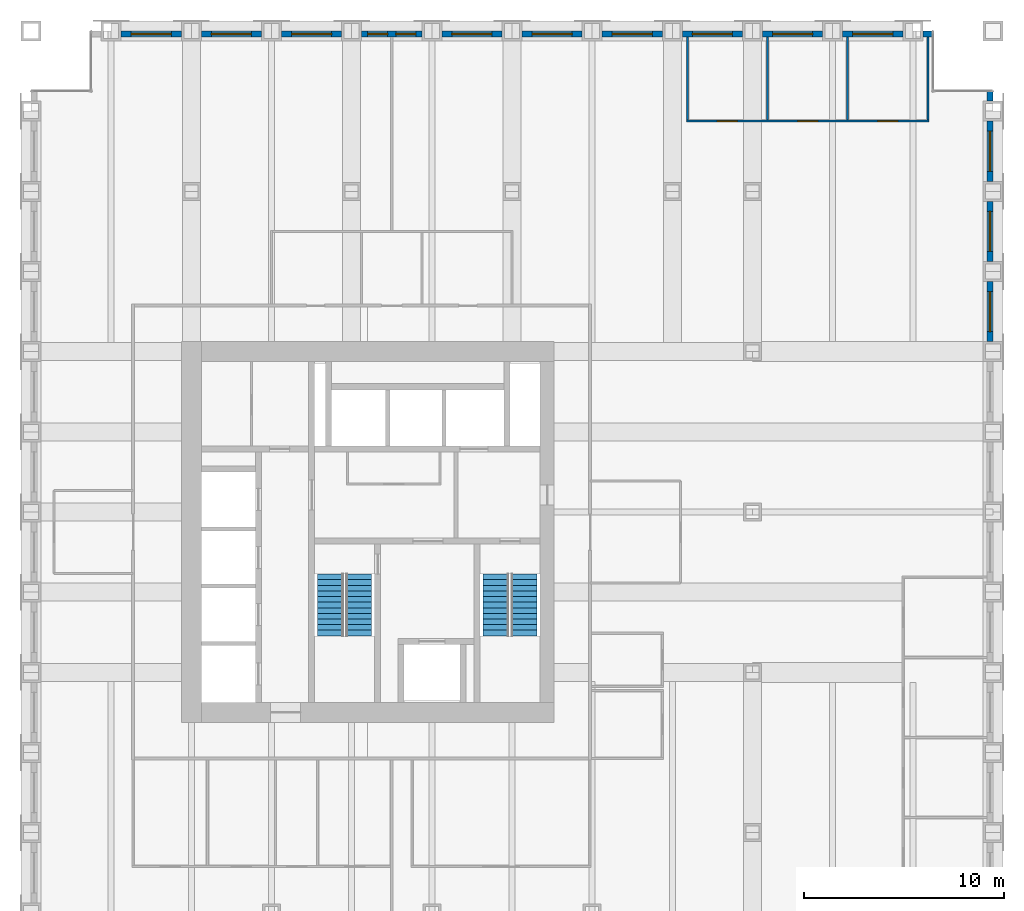
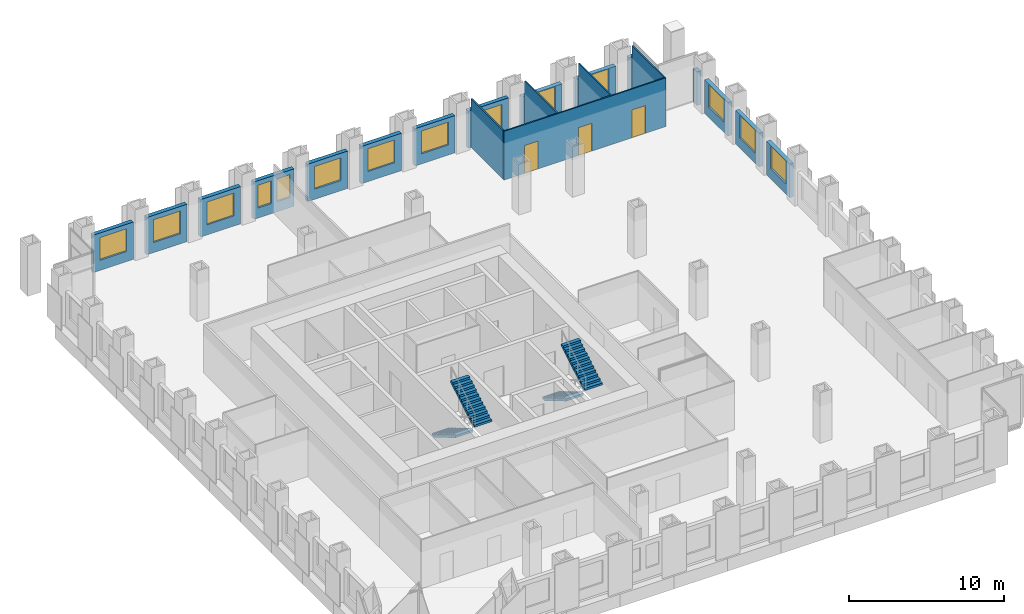
# One storey, part 14 of 16: 20 walls, 14 windows, 4 stair flights, 3 doors, 17 openings, 2 elements without a shape of their own.
"""IFC4 building model written with IfcOpenShell, lengths in metres."""

from ifc_helpers import new_model, si_unit, direction, frame, frame_2d, origin, place, context, subcontext, project, spatial, polyline, rectangle, outline, extrude, material, layer, layer_set, type_object, element, fill, aggregate, save


model = new_model("IFC4")

# Units and contexts
model_context = context("Model", 3, precision=1e-05, world=origin(), true_north=direction((0.0, 1.0)))
body_context = subcontext(model_context, "Body", "Model", "MODEL_VIEW")
ifc_project = project(units=[si_unit("LENGTHUNIT", "METRE"), si_unit("AREAUNIT", "SQUARE_METRE"), si_unit("VOLUMEUNIT", "CUBIC_METRE"), si_unit("PLANEANGLEUNIT", "RADIAN"), si_unit("MASSUNIT", "GRAM", prefix="KILO")], contexts=[model_context])

# Site, building, storey
site_placement = place(None, origin())
site = spatial("IfcSite", under=ifc_project, at=site_placement, CompositionType="ELEMENT")
building_placement = place(site_placement, origin())
building = spatial("IfcBuilding", under=site, at=building_placement, Name="Rimbunsela Tower", CompositionType="ELEMENT")
storey_placement = place(building_placement, frame((0.0, 0.0, 133.39990234375)))
storey = spatial("IfcBuildingStorey", under=building, at=storey_placement, Name="L32", CompositionType="ELEMENT", Elevation=133.39990234375)

# Wall, openings, doors
ifc_material_1 = material(Name="Gypsum board on steel studs", Category="steel")
ifc_layer_1 = layer(ifc_material_1, 0.10009765625)
ifc_layer_set_1 = layer_set([ifc_layer_1], Name="Office partition 100")
wall_type_1 = type_object("IfcWallType", Name="Office partition 100", PredefinedType="PARTITIONING", material=ifc_layer_set_1)
wall_1_placement = place(storey_placement, frame((42.699951171875, 47.5, 0.0), z_axis=(0.0, 0.0, 1.0), x_axis=(1.0, 0.0, 0.0)))
wall_1 = element("IfcWall", 1, at=wall_1_placement, inside=storey, type_object=wall_type_1, Name="Office partition", PredefinedType="PARTITIONING", context=body_context, shape_type="SweptSolid", body=[
    extrude(rectangle(XDim=12.10009765625, YDim=0.10009765625, at=frame_2d((6.050048828125, 0.0))), origin(), (0.0, 0.0, 1.0), 3.85009765625),
])
opening_1_placement = place(wall_1_placement, frame((1.550048828125, 0.0, 0.0)))
opening_1 = element("IfcOpeningElement", 2, at=opening_1_placement, cuts=wall_1, Name="Opening D16", PredefinedType="OPENING", context=body_context, shape_type="SweptSolid", body=[
    extrude(rectangle(XDim=1.0, YDim=2.199951171875, at=frame_2d((0.5, 1.10009765625))), frame((0.0, 0.06005859375, 0.0), z_axis=(0.0, -1.0, 0.0), x_axis=(1.0, 0.0, 0.0)), (0.0, 0.0, 1.0), 0.1201171875),
])
opening_2_placement = place(wall_1_placement, frame((5.550048828125, 0.0, 0.0)))
opening_2 = element("IfcOpeningElement", 3, at=opening_2_placement, cuts=wall_1, Name="Opening D16", PredefinedType="OPENING", context=body_context, shape_type="SweptSolid", body=[
    extrude(rectangle(XDim=1.0, YDim=2.199951171875, at=frame_2d((0.5, 1.10009765625))), frame((0.0, 0.06005859375, 0.0), z_axis=(0.0, -1.0, 0.0), x_axis=(1.0, 0.0, 0.0)), (0.0, 0.0, 1.0), 0.1201171875),
])
opening_3_placement = place(wall_1_placement, frame((9.550048828125, 0.0, 0.0)))
opening_3 = element("IfcOpeningElement", 4, at=opening_3_placement, cuts=wall_1, Name="Opening D16", PredefinedType="OPENING", context=body_context, shape_type="SweptSolid", body=[
    extrude(rectangle(XDim=1.0, YDim=2.199951171875, at=frame_2d((0.5, 1.10009765625))), frame((0.0, 0.06005859375, 0.0), z_axis=(0.0, -1.0, 0.0), x_axis=(1.0, 0.0, 0.0)), (0.0, 0.0, 1.0), 0.1201171875),
])
ifc_material_2 = material(Name="Timber door", Category="wood")
door_type = type_object("IfcDoorType", Name="Office door 1000", OperationType="SINGLE_SWING_LEFT", PredefinedType="DOOR", material=ifc_material_2)
door_1_placement = place(opening_1_placement, origin())
door_1 = element("IfcDoor", 5, at=door_1_placement, inside=storey, type_object=door_type, Name="Office door", OperationType="SINGLE_SWING_LEFT", OverallHeight=2.199951171875, OverallWidth=1.0, PredefinedType="DOOR", context=body_context, shape_type="SweptSolid", body=[
    extrude(rectangle(XDim=1.0, YDim=2.199951171875, at=frame_2d((0.5, 1.10009765625))), frame((0.0, 0.02490234375, 0.0), z_axis=(0.0, -1.0, 0.0), x_axis=(1.0, 0.0, 0.0)), (0.0, 0.0, 1.0), 0.050048828125),
])
fill(opening_1, door_1)
door_2_placement = place(opening_2_placement, origin())
door_2 = element("IfcDoor", 6, at=door_2_placement, inside=storey, type_object=door_type, Name="Office door", OperationType="SINGLE_SWING_LEFT", OverallHeight=2.199951171875, OverallWidth=1.0, PredefinedType="DOOR", context=body_context, shape_type="SweptSolid", body=[
    extrude(rectangle(XDim=1.0, YDim=2.199951171875, at=frame_2d((0.5, 1.10009765625))), frame((0.0, 0.02490234375, 0.0), z_axis=(0.0, -1.0, 0.0), x_axis=(1.0, 0.0, 0.0)), (0.0, 0.0, 1.0), 0.050048828125),
])
fill(opening_2, door_2)
door_3_placement = place(opening_3_placement, origin())
door_3 = element("IfcDoor", 7, at=door_3_placement, inside=storey, type_object=door_type, Name="Office door", OperationType="SINGLE_SWING_LEFT", OverallHeight=2.199951171875, OverallWidth=1.0, PredefinedType="DOOR", context=body_context, shape_type="SweptSolid", body=[
    extrude(rectangle(XDim=1.0, YDim=2.199951171875, at=frame_2d((0.5, 1.10009765625))), frame((0.0, 0.02490234375, 0.0), z_axis=(0.0, -1.0, 0.0), x_axis=(1.0, 0.0, 0.0)), (0.0, 0.0, 1.0), 0.050048828125),
])
fill(opening_3, door_3)

# Walls
for number, where, z_axis, x_axis, name in (
    (8, (42.75, 47.550048828125, 0.0), (0.0, 0.0, 1.0), (0.0, 1.0, 0.0), "Office partition"),
    (9, (46.75, 47.550048828125, 0.0), (0.0, 0.0, 1.0), (0.0, 1.0, 0.0), "Office partition"),
    (10, (50.75, 47.550048828125, 0.0), (0.0, 0.0, 1.0), (0.0, 1.0, 0.0), "Office partition"),
    (11, (54.75, 47.550048828125, 0.0), (0.0, 0.0, 1.0), (0.0, 1.0, 0.0), "Office partition"),
):
    element("IfcWall", number, at=place(storey_placement, frame(where, z_axis=z_axis, x_axis=x_axis)), inside=storey, type_object=wall_type_1, Name=name, PredefinedType="PARTITIONING", context=body_context, shape_type="SweptSolid", body=[
        extrude(rectangle(XDim=4.14990234375, YDim=0.10009765625, at=frame_2d((2.074951171875, 0.0))), origin(), (0.0, 0.0, 1.0), 3.85009765625),
    ])

# Wall, opening, window
ifc_material_3 = material(Name="Precast concrete fc' 35 MPa", Category="concrete")
ifc_layer_2 = layer(ifc_material_3, 0.300048828125)
ifc_layer_set_2 = layer_set([ifc_layer_2], Name="Precast concrete fc' 35 MPa")
wall_type_2 = type_object("IfcWallType", Name="Precast facade panel 300", PredefinedType="ELEMENTEDWALL", material=ifc_layer_set_2)
wall_2_placement = place(storey_placement, frame((57.85009765625, 36.5, 0.0), z_axis=(0.0, 0.0, 1.0), x_axis=(0.0, 1.0, 0.0)))
wall_2 = element("IfcWall", 12, at=wall_2_placement, inside=storey, type_object=wall_type_2, Name="Facade panel E L32", PredefinedType="ELEMENTEDWALL", context=body_context, shape_type="SweptSolid", body=[
    extrude(rectangle(XDim=3.0, YDim=0.300048828125, at=frame_2d((1.5, 0.0))), origin(), (0.0, 0.0, 1.0), 2.650146484375),
])
opening_4_placement = place(wall_2_placement, frame((0.5, 0.0, 0.800048828125)))
opening_4 = element("IfcOpeningElement", 13, at=opening_4_placement, cuts=wall_2, Name="Opening W7", PredefinedType="OPENING", context=body_context, shape_type="SweptSolid", body=[
    extrude(rectangle(XDim=2.0, YDim=1.800048828125, at=frame_2d((1.0, 0.89990234375))), frame((0.0, 0.159912109375, 0.0), z_axis=(0.0, -1.0, 0.0), x_axis=(1.0, 0.0, 0.0)), (0.0, 0.0, 1.0), 0.320068359375),
])
ifc_material_4 = material(Name="Clear glass in aluminium frame", Category="aluminium")
window_type_1 = type_object("IfcWindowType", Name="Window W7 2000x1800", PartitioningType="DOUBLE_PANEL_VERTICAL", PredefinedType="WINDOW", material=ifc_material_4)
window_1_placement = place(opening_4_placement, origin())
window_1 = element("IfcWindow", 14, at=window_1_placement, inside=storey, type_object=window_type_1, Name="Window L32", OverallHeight=1.800048828125, OverallWidth=2.0, PartitioningType="SINGLE_PANEL", PredefinedType="WINDOW", context=body_context, shape_type="SweptSolid", body=[
    extrude(rectangle(XDim=2.0, YDim=1.800048828125, at=frame_2d((1.0, 0.89990234375))), frame((0.0, 0.030029296875, 0.0), z_axis=(0.0, -1.0, 0.0), x_axis=(1.0, 0.0, 0.0)), (0.0, 0.0, 1.0), 0.06005859375),
])
fill(opening_4, window_1)

wall_3_placement = place(storey_placement, frame((57.85009765625, 40.5, 0.0), z_axis=(0.0, 0.0, 1.0), x_axis=(0.0, 1.0, 0.0)))
wall_3 = element("IfcWall", 15, at=wall_3_placement, inside=storey, type_object=wall_type_2, Name="Facade panel E L32", PredefinedType="ELEMENTEDWALL", context=body_context, shape_type="SweptSolid", body=[
    extrude(rectangle(XDim=3.0, YDim=0.300048828125, at=frame_2d((1.5, 0.0))), origin(), (0.0, 0.0, 1.0), 2.650146484375),
])
opening_5_placement = place(wall_3_placement, frame((0.5, 0.0, 0.800048828125)))
opening_5 = element("IfcOpeningElement", 16, at=opening_5_placement, cuts=wall_3, Name="Opening W7", PredefinedType="OPENING", context=body_context, shape_type="SweptSolid", body=[
    extrude(rectangle(XDim=2.0, YDim=1.800048828125, at=frame_2d((1.0, 0.89990234375))), frame((0.0, 0.159912109375, 0.0), z_axis=(0.0, -1.0, 0.0), x_axis=(1.0, 0.0, 0.0)), (0.0, 0.0, 1.0), 0.320068359375),
])
window_2_placement = place(opening_5_placement, origin())
window_2 = element("IfcWindow", 17, at=window_2_placement, inside=storey, type_object=window_type_1, Name="Window L32", OverallHeight=1.800048828125, OverallWidth=2.0, PartitioningType="SINGLE_PANEL", PredefinedType="WINDOW", context=body_context, shape_type="SweptSolid", body=[
    extrude(rectangle(XDim=2.0, YDim=1.800048828125, at=frame_2d((1.0, 0.89990234375))), frame((0.0, 0.030029296875, 0.0), z_axis=(0.0, -1.0, 0.0), x_axis=(1.0, 0.0, 0.0)), (0.0, 0.0, 1.0), 0.06005859375),
])
fill(opening_5, window_2)

wall_4_placement = place(storey_placement, frame((57.85009765625, 44.5, 0.0), z_axis=(0.0, 0.0, 1.0), x_axis=(0.0, 1.0, 0.0)))
wall_4 = element("IfcWall", 18, at=wall_4_placement, inside=storey, type_object=wall_type_2, Name="Facade panel E L32", PredefinedType="ELEMENTEDWALL", context=body_context, shape_type="SweptSolid", body=[
    extrude(rectangle(XDim=3.0, YDim=0.300048828125, at=frame_2d((1.5, 0.0))), origin(), (0.0, 0.0, 1.0), 2.650146484375),
])
opening_6_placement = place(wall_4_placement, frame((0.5, 0.0, 0.800048828125)))
opening_6 = element("IfcOpeningElement", 19, at=opening_6_placement, cuts=wall_4, Name="Opening W7", PredefinedType="OPENING", context=body_context, shape_type="SweptSolid", body=[
    extrude(rectangle(XDim=2.0, YDim=1.800048828125, at=frame_2d((1.0, 0.89990234375))), frame((0.0, 0.159912109375, 0.0), z_axis=(0.0, -1.0, 0.0), x_axis=(1.0, 0.0, 0.0)), (0.0, 0.0, 1.0), 0.320068359375),
])
window_3_placement = place(opening_6_placement, origin())
window_3 = element("IfcWindow", 20, at=window_3_placement, inside=storey, type_object=window_type_1, Name="Window L32", OverallHeight=1.800048828125, OverallWidth=2.0, PartitioningType="SINGLE_PANEL", PredefinedType="WINDOW", context=body_context, shape_type="SweptSolid", body=[
    extrude(rectangle(XDim=2.0, YDim=1.800048828125, at=frame_2d((1.0, 0.89990234375))), frame((0.0, 0.030029296875, 0.0), z_axis=(0.0, -1.0, 0.0), x_axis=(1.0, 0.0, 0.0)), (0.0, 0.0, 1.0), 0.06005859375),
])
fill(opening_6, window_3)

# Wall
wall_5_placement = place(storey_placement, frame((57.85009765625, 48.5, 0.0), z_axis=(0.0, 0.0, 1.0), x_axis=(0.0, 1.0, 0.0)))
element("IfcWall", 21, at=wall_5_placement, inside=storey, type_object=wall_type_2, Name="Facade panel E L32", PredefinedType="ELEMENTEDWALL", context=body_context, shape_type="SweptSolid", body=[
    extrude(rectangle(XDim=0.469970703125, YDim=0.300048828125, at=frame_2d((0.23486328125, 0.0))), origin(), (0.0, 0.0, 1.0), 2.650146484375),
])

# Wall, opening, window
wall_6_placement = place(storey_placement, frame((17.5, 51.85009765625, 0.0), z_axis=(0.0, 0.0, 1.0), x_axis=(-1.0, 0.0, 0.0)))
wall_6 = element("IfcWall", 22, at=wall_6_placement, inside=storey, type_object=wall_type_2, Name="Facade panel N L32", PredefinedType="ELEMENTEDWALL", context=body_context, shape_type="SweptSolid", body=[
    extrude(rectangle(XDim=3.0, YDim=0.300048828125, at=frame_2d((1.5, 0.0))), origin(), (0.0, 0.0, 1.0), 2.9501953125),
])
opening_7_placement = place(wall_6_placement, frame((0.5, 0.0, 0.800048828125)))
opening_7 = element("IfcOpeningElement", 23, at=opening_7_placement, cuts=wall_6, Name="Opening W7", PredefinedType="OPENING", context=body_context, shape_type="SweptSolid", body=[
    extrude(rectangle(XDim=2.0, YDim=1.800048828125, at=frame_2d((1.0, 0.89990234375))), frame((0.0, 0.159912109375, 0.0), z_axis=(0.0, -1.0, 0.0), x_axis=(1.0, 0.0, 0.0)), (0.0, 0.0, 1.0), 0.320068359375),
])
window_4_placement = place(opening_7_placement, origin())
window_4 = element("IfcWindow", 24, at=window_4_placement, inside=storey, type_object=window_type_1, Name="Window L32", OverallHeight=1.800048828125, OverallWidth=2.0, PartitioningType="SINGLE_PANEL", PredefinedType="WINDOW", context=body_context, shape_type="SweptSolid", body=[
    extrude(rectangle(XDim=2.0, YDim=1.800048828125, at=frame_2d((1.0, 0.89990234375))), frame((0.0, 0.030029296875, 0.0), z_axis=(0.0, -1.0, 0.0), x_axis=(1.0, 0.0, 0.0)), (0.0, 0.0, 1.0), 0.06005859375),
])
fill(opening_7, window_4)

wall_7_placement = place(storey_placement, frame((21.5, 51.85009765625, 0.0), z_axis=(0.0, 0.0, 1.0), x_axis=(-1.0, 0.0, 0.0)))
wall_7 = element("IfcWall", 25, at=wall_7_placement, inside=storey, type_object=wall_type_2, Name="Facade panel N L32", PredefinedType="ELEMENTEDWALL", context=body_context, shape_type="SweptSolid", body=[
    extrude(rectangle(XDim=3.0, YDim=0.300048828125, at=frame_2d((1.5, 0.0))), origin(), (0.0, 0.0, 1.0), 2.9501953125),
])
opening_8_placement = place(wall_7_placement, frame((0.5, 0.0, 0.800048828125)))
opening_8 = element("IfcOpeningElement", 26, at=opening_8_placement, cuts=wall_7, Name="Opening W7", PredefinedType="OPENING", context=body_context, shape_type="SweptSolid", body=[
    extrude(rectangle(XDim=2.0, YDim=1.800048828125, at=frame_2d((1.0, 0.89990234375))), frame((0.0, 0.159912109375, 0.0), z_axis=(0.0, -1.0, 0.0), x_axis=(1.0, 0.0, 0.0)), (0.0, 0.0, 1.0), 0.320068359375),
])
window_5_placement = place(opening_8_placement, origin())
window_5 = element("IfcWindow", 27, at=window_5_placement, inside=storey, type_object=window_type_1, Name="Window L32", OverallHeight=1.800048828125, OverallWidth=2.0, PartitioningType="SINGLE_PANEL", PredefinedType="WINDOW", context=body_context, shape_type="SweptSolid", body=[
    extrude(rectangle(XDim=2.0, YDim=1.800048828125, at=frame_2d((1.0, 0.89990234375))), frame((0.0, 0.030029296875, 0.0), z_axis=(0.0, -1.0, 0.0), x_axis=(1.0, 0.0, 0.0)), (0.0, 0.0, 1.0), 0.06005859375),
])
fill(opening_8, window_5)

wall_8_placement = place(storey_placement, frame((25.5, 51.85009765625, 0.0), z_axis=(0.0, 0.0, 1.0), x_axis=(-1.0, 0.0, 0.0)))
wall_8 = element("IfcWall", 28, at=wall_8_placement, inside=storey, type_object=wall_type_2, Name="Facade panel N L32", PredefinedType="ELEMENTEDWALL", context=body_context, shape_type="SweptSolid", body=[
    extrude(rectangle(XDim=3.0, YDim=0.300048828125, at=frame_2d((1.5, 0.0))), origin(), (0.0, 0.0, 1.0), 2.9501953125),
])
opening_9_placement = place(wall_8_placement, frame((0.5, 0.0, 0.800048828125)))
opening_9 = element("IfcOpeningElement", 29, at=opening_9_placement, cuts=wall_8, Name="Opening W7", PredefinedType="OPENING", context=body_context, shape_type="SweptSolid", body=[
    extrude(rectangle(XDim=2.0, YDim=1.800048828125, at=frame_2d((1.0, 0.89990234375))), frame((0.0, 0.159912109375, 0.0), z_axis=(0.0, -1.0, 0.0), x_axis=(1.0, 0.0, 0.0)), (0.0, 0.0, 1.0), 0.320068359375),
])
window_6_placement = place(opening_9_placement, origin())
window_6 = element("IfcWindow", 30, at=window_6_placement, inside=storey, type_object=window_type_1, Name="Window L32", OverallHeight=1.800048828125, OverallWidth=2.0, PartitioningType="SINGLE_PANEL", PredefinedType="WINDOW", context=body_context, shape_type="SweptSolid", body=[
    extrude(rectangle(XDim=2.0, YDim=1.800048828125, at=frame_2d((1.0, 0.89990234375))), frame((0.0, 0.030029296875, 0.0), z_axis=(0.0, -1.0, 0.0), x_axis=(1.0, 0.0, 0.0)), (0.0, 0.0, 1.0), 0.06005859375),
])
fill(opening_9, window_6)

# Wall, openings, windows
wall_9_placement = place(storey_placement, frame((29.5, 51.85009765625, 0.0), z_axis=(0.0, 0.0, 1.0), x_axis=(-1.0, 0.0, 0.0)))
wall_9 = element("IfcWall", 31, at=wall_9_placement, inside=storey, type_object=wall_type_2, Name="Facade panel N L32", PredefinedType="ELEMENTEDWALL", context=body_context, shape_type="SweptSolid", body=[
    extrude(rectangle(XDim=3.0, YDim=0.300048828125, at=frame_2d((1.5, 0.0))), origin(), (0.0, 0.0, 1.0), 2.9501953125),
])
opening_10_placement = place(wall_9_placement, frame((1.699951171875, 0.0, 0.800048828125)))
opening_10 = element("IfcOpeningElement", 32, at=opening_10_placement, cuts=wall_9, Name="Opening W8", PredefinedType="OPENING", context=body_context, shape_type="SweptSolid", body=[
    extrude(rectangle(XDim=1.0, YDim=1.800048828125, at=frame_2d((0.5, 0.89990234375))), frame((0.0, 0.159912109375, 0.0), z_axis=(0.0, -1.0, 0.0), x_axis=(1.0, 0.0, 0.0)), (0.0, 0.0, 1.0), 0.320068359375),
])
opening_11_placement = place(wall_9_placement, frame((0.300048828125, 0.0, 0.800048828125)))
opening_11 = element("IfcOpeningElement", 33, at=opening_11_placement, cuts=wall_9, Name="Opening W8", PredefinedType="OPENING", context=body_context, shape_type="SweptSolid", body=[
    extrude(rectangle(XDim=1.0, YDim=1.800048828125, at=frame_2d((0.5, 0.89990234375))), frame((0.0, 0.159912109375, 0.0), z_axis=(0.0, -1.0, 0.0), x_axis=(1.0, 0.0, 0.0)), (0.0, 0.0, 1.0), 0.320068359375),
])
ifc_material_5 = material(Name="Clear glass in aluminium frame", Category="aluminium")
window_type_2 = type_object("IfcWindowType", Name="Window W8 1000x1800", PartitioningType="SINGLE_PANEL", PredefinedType="WINDOW", material=ifc_material_5)
window_7_placement = place(opening_10_placement, origin())
window_7 = element("IfcWindow", 34, at=window_7_placement, inside=storey, type_object=window_type_2, Name="Window L32", OverallHeight=1.800048828125, OverallWidth=1.0, PartitioningType="SINGLE_PANEL", PredefinedType="WINDOW", context=body_context, shape_type="SweptSolid", body=[
    extrude(rectangle(XDim=1.0, YDim=1.800048828125, at=frame_2d((0.5, 0.89990234375))), frame((0.0, 0.030029296875, 0.0), z_axis=(0.0, -1.0, 0.0), x_axis=(1.0, 0.0, 0.0)), (0.0, 0.0, 1.0), 0.06005859375),
])
fill(opening_10, window_7)
window_8_placement = place(opening_11_placement, origin())
window_8 = element("IfcWindow", 35, at=window_8_placement, inside=storey, type_object=window_type_2, Name="Window L32", OverallHeight=1.800048828125, OverallWidth=1.0, PartitioningType="SINGLE_PANEL", PredefinedType="WINDOW", context=body_context, shape_type="SweptSolid", body=[
    extrude(rectangle(XDim=1.0, YDim=1.800048828125, at=frame_2d((0.5, 0.89990234375))), frame((0.0, 0.030029296875, 0.0), z_axis=(0.0, -1.0, 0.0), x_axis=(1.0, 0.0, 0.0)), (0.0, 0.0, 1.0), 0.06005859375),
])
fill(opening_11, window_8)

# Wall, opening, window
wall_10_placement = place(storey_placement, frame((33.5, 51.85009765625, 0.0), z_axis=(0.0, 0.0, 1.0), x_axis=(-1.0, 0.0, 0.0)))
wall_10 = element("IfcWall", 36, at=wall_10_placement, inside=storey, type_object=wall_type_2, Name="Facade panel N L32", PredefinedType="ELEMENTEDWALL", context=body_context, shape_type="SweptSolid", body=[
    extrude(rectangle(XDim=3.0, YDim=0.300048828125, at=frame_2d((1.5, 0.0))), origin(), (0.0, 0.0, 1.0), 2.9501953125),
])
opening_12_placement = place(wall_10_placement, frame((0.5, 0.0, 0.800048828125)))
opening_12 = element("IfcOpeningElement", 37, at=opening_12_placement, cuts=wall_10, Name="Opening W7", PredefinedType="OPENING", context=body_context, shape_type="SweptSolid", body=[
    extrude(rectangle(XDim=2.0, YDim=1.800048828125, at=frame_2d((1.0, 0.89990234375))), frame((0.0, 0.159912109375, 0.0), z_axis=(0.0, -1.0, 0.0), x_axis=(1.0, 0.0, 0.0)), (0.0, 0.0, 1.0), 0.320068359375),
])
window_9_placement = place(opening_12_placement, origin())
window_9 = element("IfcWindow", 38, at=window_9_placement, inside=storey, type_object=window_type_1, Name="Window L32", OverallHeight=1.800048828125, OverallWidth=2.0, PartitioningType="SINGLE_PANEL", PredefinedType="WINDOW", context=body_context, shape_type="SweptSolid", body=[
    extrude(rectangle(XDim=2.0, YDim=1.800048828125, at=frame_2d((1.0, 0.89990234375))), frame((0.0, 0.030029296875, 0.0), z_axis=(0.0, -1.0, 0.0), x_axis=(1.0, 0.0, 0.0)), (0.0, 0.0, 1.0), 0.06005859375),
])
fill(opening_12, window_9)

wall_11_placement = place(storey_placement, frame((37.5, 51.85009765625, 0.0), z_axis=(0.0, 0.0, 1.0), x_axis=(-1.0, 0.0, 0.0)))
wall_11 = element("IfcWall", 39, at=wall_11_placement, inside=storey, type_object=wall_type_2, Name="Facade panel N L32", PredefinedType="ELEMENTEDWALL", context=body_context, shape_type="SweptSolid", body=[
    extrude(rectangle(XDim=3.0, YDim=0.300048828125, at=frame_2d((1.5, 0.0))), origin(), (0.0, 0.0, 1.0), 2.9501953125),
])
opening_13_placement = place(wall_11_placement, frame((0.5, 0.0, 0.800048828125)))
opening_13 = element("IfcOpeningElement", 40, at=opening_13_placement, cuts=wall_11, Name="Opening W7", PredefinedType="OPENING", context=body_context, shape_type="SweptSolid", body=[
    extrude(rectangle(XDim=2.0, YDim=1.800048828125, at=frame_2d((1.0, 0.89990234375))), frame((0.0, 0.159912109375, 0.0), z_axis=(0.0, -1.0, 0.0), x_axis=(1.0, 0.0, 0.0)), (0.0, 0.0, 1.0), 0.320068359375),
])
window_10_placement = place(opening_13_placement, origin())
window_10 = element("IfcWindow", 41, at=window_10_placement, inside=storey, type_object=window_type_1, Name="Window L32", OverallHeight=1.800048828125, OverallWidth=2.0, PartitioningType="SINGLE_PANEL", PredefinedType="WINDOW", context=body_context, shape_type="SweptSolid", body=[
    extrude(rectangle(XDim=2.0, YDim=1.800048828125, at=frame_2d((1.0, 0.89990234375))), frame((0.0, 0.030029296875, 0.0), z_axis=(0.0, -1.0, 0.0), x_axis=(1.0, 0.0, 0.0)), (0.0, 0.0, 1.0), 0.06005859375),
])
fill(opening_13, window_10)

wall_12_placement = place(storey_placement, frame((41.5, 51.85009765625, 0.0), z_axis=(0.0, 0.0, 1.0), x_axis=(-1.0, 0.0, 0.0)))
wall_12 = element("IfcWall", 42, at=wall_12_placement, inside=storey, type_object=wall_type_2, Name="Facade panel N L32", PredefinedType="ELEMENTEDWALL", context=body_context, shape_type="SweptSolid", body=[
    extrude(rectangle(XDim=3.0, YDim=0.300048828125, at=frame_2d((1.5, 0.0))), origin(), (0.0, 0.0, 1.0), 2.9501953125),
])
opening_14_placement = place(wall_12_placement, frame((0.5, 0.0, 0.800048828125)))
opening_14 = element("IfcOpeningElement", 43, at=opening_14_placement, cuts=wall_12, Name="Opening W7", PredefinedType="OPENING", context=body_context, shape_type="SweptSolid", body=[
    extrude(rectangle(XDim=2.0, YDim=1.800048828125, at=frame_2d((1.0, 0.89990234375))), frame((0.0, 0.159912109375, 0.0), z_axis=(0.0, -1.0, 0.0), x_axis=(1.0, 0.0, 0.0)), (0.0, 0.0, 1.0), 0.320068359375),
])
window_11_placement = place(opening_14_placement, origin())
window_11 = element("IfcWindow", 44, at=window_11_placement, inside=storey, type_object=window_type_1, Name="Window L32", OverallHeight=1.800048828125, OverallWidth=2.0, PartitioningType="SINGLE_PANEL", PredefinedType="WINDOW", context=body_context, shape_type="SweptSolid", body=[
    extrude(rectangle(XDim=2.0, YDim=1.800048828125, at=frame_2d((1.0, 0.89990234375))), frame((0.0, 0.030029296875, 0.0), z_axis=(0.0, -1.0, 0.0), x_axis=(1.0, 0.0, 0.0)), (0.0, 0.0, 1.0), 0.06005859375),
])
fill(opening_14, window_11)

wall_13_placement = place(storey_placement, frame((45.5, 51.85009765625, 0.0), z_axis=(0.0, 0.0, 1.0), x_axis=(-1.0, 0.0, 0.0)))
wall_13 = element("IfcWall", 45, at=wall_13_placement, inside=storey, type_object=wall_type_2, Name="Facade panel N L32", PredefinedType="ELEMENTEDWALL", context=body_context, shape_type="SweptSolid", body=[
    extrude(rectangle(XDim=3.0, YDim=0.300048828125, at=frame_2d((1.5, 0.0))), origin(), (0.0, 0.0, 1.0), 2.9501953125),
])
opening_15_placement = place(wall_13_placement, frame((0.5, 0.0, 0.800048828125)))
opening_15 = element("IfcOpeningElement", 46, at=opening_15_placement, cuts=wall_13, Name="Opening W7", PredefinedType="OPENING", context=body_context, shape_type="SweptSolid", body=[
    extrude(rectangle(XDim=2.0, YDim=1.800048828125, at=frame_2d((1.0, 0.89990234375))), frame((0.0, 0.159912109375, 0.0), z_axis=(0.0, -1.0, 0.0), x_axis=(1.0, 0.0, 0.0)), (0.0, 0.0, 1.0), 0.320068359375),
])
window_12_placement = place(opening_15_placement, origin())
window_12 = element("IfcWindow", 47, at=window_12_placement, inside=storey, type_object=window_type_1, Name="Window L32", OverallHeight=1.800048828125, OverallWidth=2.0, PartitioningType="SINGLE_PANEL", PredefinedType="WINDOW", context=body_context, shape_type="SweptSolid", body=[
    extrude(rectangle(XDim=2.0, YDim=1.800048828125, at=frame_2d((1.0, 0.89990234375))), frame((0.0, 0.030029296875, 0.0), z_axis=(0.0, -1.0, 0.0), x_axis=(1.0, 0.0, 0.0)), (0.0, 0.0, 1.0), 0.06005859375),
])
fill(opening_15, window_12)

wall_14_placement = place(storey_placement, frame((49.5, 51.85009765625, 0.0), z_axis=(0.0, 0.0, 1.0), x_axis=(-1.0, 0.0, 0.0)))
wall_14 = element("IfcWall", 48, at=wall_14_placement, inside=storey, type_object=wall_type_2, Name="Facade panel N L32", PredefinedType="ELEMENTEDWALL", context=body_context, shape_type="SweptSolid", body=[
    extrude(rectangle(XDim=3.0, YDim=0.300048828125, at=frame_2d((1.5, 0.0))), origin(), (0.0, 0.0, 1.0), 2.650146484375),
])
opening_16_placement = place(wall_14_placement, frame((0.5, 0.0, 0.800048828125)))
opening_16 = element("IfcOpeningElement", 49, at=opening_16_placement, cuts=wall_14, Name="Opening W7", PredefinedType="OPENING", context=body_context, shape_type="SweptSolid", body=[
    extrude(rectangle(XDim=2.0, YDim=1.800048828125, at=frame_2d((1.0, 0.89990234375))), frame((0.0, 0.159912109375, 0.0), z_axis=(0.0, -1.0, 0.0), x_axis=(1.0, 0.0, 0.0)), (0.0, 0.0, 1.0), 0.320068359375),
])
window_13_placement = place(opening_16_placement, origin())
window_13 = element("IfcWindow", 50, at=window_13_placement, inside=storey, type_object=window_type_1, Name="Window L32", OverallHeight=1.800048828125, OverallWidth=2.0, PartitioningType="SINGLE_PANEL", PredefinedType="WINDOW", context=body_context, shape_type="SweptSolid", body=[
    extrude(rectangle(XDim=2.0, YDim=1.800048828125, at=frame_2d((1.0, 0.89990234375))), frame((0.0, 0.030029296875, 0.0), z_axis=(0.0, -1.0, 0.0), x_axis=(1.0, 0.0, 0.0)), (0.0, 0.0, 1.0), 0.06005859375),
])
fill(opening_16, window_13)

wall_15_placement = place(storey_placement, frame((53.5, 51.85009765625, 0.0), z_axis=(0.0, 0.0, 1.0), x_axis=(-1.0, 0.0, 0.0)))
wall_15 = element("IfcWall", 51, at=wall_15_placement, inside=storey, type_object=wall_type_2, Name="Facade panel N L32", PredefinedType="ELEMENTEDWALL", context=body_context, shape_type="SweptSolid", body=[
    extrude(rectangle(XDim=3.0, YDim=0.300048828125, at=frame_2d((1.5, 0.0))), origin(), (0.0, 0.0, 1.0), 2.650146484375),
])
opening_17_placement = place(wall_15_placement, frame((0.5, 0.0, 0.800048828125)))
opening_17 = element("IfcOpeningElement", 52, at=opening_17_placement, cuts=wall_15, Name="Opening W7", PredefinedType="OPENING", context=body_context, shape_type="SweptSolid", body=[
    extrude(rectangle(XDim=2.0, YDim=1.800048828125, at=frame_2d((1.0, 0.89990234375))), frame((0.0, 0.159912109375, 0.0), z_axis=(0.0, -1.0, 0.0), x_axis=(1.0, 0.0, 0.0)), (0.0, 0.0, 1.0), 0.320068359375),
])
window_14_placement = place(opening_17_placement, origin())
window_14 = element("IfcWindow", 53, at=window_14_placement, inside=storey, type_object=window_type_1, Name="Window L32", OverallHeight=1.800048828125, OverallWidth=2.0, PartitioningType="SINGLE_PANEL", PredefinedType="WINDOW", context=body_context, shape_type="SweptSolid", body=[
    extrude(rectangle(XDim=2.0, YDim=1.800048828125, at=frame_2d((1.0, 0.89990234375))), frame((0.0, 0.030029296875, 0.0), z_axis=(0.0, -1.0, 0.0), x_axis=(1.0, 0.0, 0.0)), (0.0, 0.0, 1.0), 0.06005859375),
])
fill(opening_17, window_14)

# Wall
wall_16_placement = place(storey_placement, frame((54.969970703125, 51.85009765625, 0.0), z_axis=(0.0, 0.0, 1.0), x_axis=(-1.0, 0.0, 0.0)))
element("IfcWall", 54, at=wall_16_placement, inside=storey, type_object=wall_type_2, Name="Facade panel N L32", PredefinedType="ELEMENTEDWALL", context=body_context, shape_type="SweptSolid", body=[
    extrude(rectangle(XDim=0.469970703125, YDim=0.300048828125, at=frame_2d((0.23486328125, 0.0))), origin(), (0.0, 0.0, 1.0), 2.9501953125),
])

# Stair, stair flights
ifc_material_6 = material(Name="Concrete fc' 35 MPa", Category="concrete")
stair_type = type_object("IfcStairType", Name="Exit stair 24 risers", PredefinedType="HALF_TURN_STAIR", material=ifc_material_6)
stair_1_placement = place(storey_placement, origin())
stair_1 = element("IfcStair", 55, at=stair_1_placement, inside=storey, type_object=stair_type, Name="Exit stair A L32", PredefinedType="HALF_TURN_STAIR")
ifc_material_7 = material(Name="Concrete fc' 35 MPa", Category="concrete")
stair_flight_type = type_object("IfcStairFlightType", Name="Stair flight 12 risers 167", PredefinedType="STRAIGHT", material=ifc_material_7)
stair_flight_1_placement = place(storey_placement, frame((24.949951171875, 24.89990234375, 0.0), z_axis=(0.0, 0.0, 1.0), x_axis=(0.0, -1.0, 0.0)))
stair_flight_1 = element("IfcStairFlight", 56, at=stair_flight_1_placement, type_object=stair_flight_type, Name="ST-A flight 1", NumberOfRisers=12, NumberOfTreads=11, PredefinedType="STRAIGHT", RiserHeight=0.166666667, TreadLength=0.28, context=body_context, shape_type="SweptSolid", body=[
    extrude(outline(polyline([(0.0, 0.0), (0.0, 0.166748046875), (0.280029296875, 0.166748046875), (0.280029296875, 0.333251953125), (0.56005859375, 0.333251953125), (0.56005859375, 0.5), (0.840087890625, 0.5), (0.840087890625, 0.666748046875), (1.1201171875, 0.666748046875), (1.1201171875, 0.833251953125), (1.39990234375, 0.833251953125), (1.39990234375, 1.0), (1.679931640625, 1.0), (1.679931640625, 1.166748046875), (1.9599609375, 1.166748046875), (1.9599609375, 1.333251953125), (2.239990234375, 1.333251953125), (2.239990234375, 1.5), (2.52001953125, 1.5), (2.52001953125, 1.666748046875), (2.800048828125, 1.666748046875), (2.800048828125, 1.833251953125), (3.080078125, 1.833251953125), (3.080078125, 2.0), (3.080078125, 1.658935546875), (0.29296875, 0.0), (0.0, 0.0)])), frame((0.0, 0.64990234375, 0.0), z_axis=(0.0, -1.0, 0.0), x_axis=(1.0, 0.0, 0.0)), (0.0, 0.0, 1.0), 1.300048828125),
])
stair_flight_2_placement = place(storey_placement, frame((26.35009765625, 21.820068359375, 2.0), z_axis=(0.0, 0.0, 1.0), x_axis=(0.0, 1.0, 0.0)))
stair_flight_2 = element("IfcStairFlight", 57, at=stair_flight_2_placement, type_object=stair_flight_type, Name="ST-A flight 2", NumberOfRisers=12, NumberOfTreads=11, PredefinedType="STRAIGHT", RiserHeight=0.166666667, TreadLength=0.28, context=body_context, shape_type="SweptSolid", body=[
    extrude(outline(polyline([(0.0, 0.0), (0.0, 0.166748046875), (0.280029296875, 0.166748046875), (0.280029296875, 0.333251953125), (0.56005859375, 0.333251953125), (0.56005859375, 0.5), (0.840087890625, 0.5), (0.840087890625, 0.666748046875), (1.1201171875, 0.666748046875), (1.1201171875, 0.833251953125), (1.39990234375, 0.833251953125), (1.39990234375, 1.0), (1.679931640625, 1.0), (1.679931640625, 1.166748046875), (1.9599609375, 1.166748046875), (1.9599609375, 1.333251953125), (2.239990234375, 1.333251953125), (2.239990234375, 1.5), (2.52001953125, 1.5), (2.52001953125, 1.666748046875), (2.800048828125, 1.666748046875), (2.800048828125, 1.833251953125), (3.080078125, 1.833251953125), (3.080078125, 2.0), (3.080078125, 1.658935546875), (0.29296875, 0.0), (0.0, 0.0)])), frame((0.0, 0.64990234375, 0.0), z_axis=(0.0, -1.0, 0.0), x_axis=(1.0, 0.0, 0.0)), (0.0, 0.0, 1.0), 1.300048828125),
])
aggregate(stair_1, [stair_flight_1, stair_flight_2])

stair_2_placement = place(storey_placement, origin())
stair_2 = element("IfcStair", 58, at=stair_2_placement, inside=storey, type_object=stair_type, Name="Exit stair B L32", PredefinedType="HALF_TURN_STAIR")
stair_flight_3_placement = place(storey_placement, frame((33.199951171875, 24.89990234375, 0.0), z_axis=(0.0, 0.0, 1.0), x_axis=(0.0, -1.0, 0.0)))
stair_flight_3 = element("IfcStairFlight", 59, at=stair_flight_3_placement, type_object=stair_flight_type, Name="ST-B flight 1", NumberOfRisers=12, NumberOfTreads=11, PredefinedType="STRAIGHT", RiserHeight=0.166666667, TreadLength=0.28, context=body_context, shape_type="SweptSolid", body=[
    extrude(outline(polyline([(0.0, 0.0), (0.0, 0.166748046875), (0.280029296875, 0.166748046875), (0.280029296875, 0.333251953125), (0.56005859375, 0.333251953125), (0.56005859375, 0.5), (0.840087890625, 0.5), (0.840087890625, 0.666748046875), (1.1201171875, 0.666748046875), (1.1201171875, 0.833251953125), (1.39990234375, 0.833251953125), (1.39990234375, 1.0), (1.679931640625, 1.0), (1.679931640625, 1.166748046875), (1.9599609375, 1.166748046875), (1.9599609375, 1.333251953125), (2.239990234375, 1.333251953125), (2.239990234375, 1.5), (2.52001953125, 1.5), (2.52001953125, 1.666748046875), (2.800048828125, 1.666748046875), (2.800048828125, 1.833251953125), (3.080078125, 1.833251953125), (3.080078125, 2.0), (3.080078125, 1.658935546875), (0.29296875, 0.0), (0.0, 0.0)])), frame((0.0, 0.64990234375, 0.0), z_axis=(0.0, -1.0, 0.0), x_axis=(1.0, 0.0, 0.0)), (0.0, 0.0, 1.0), 1.300048828125),
])
stair_flight_4_placement = place(storey_placement, frame((34.60009765625, 21.820068359375, 2.0), z_axis=(0.0, 0.0, 1.0), x_axis=(0.0, 1.0, 0.0)))
stair_flight_4 = element("IfcStairFlight", 60, at=stair_flight_4_placement, type_object=stair_flight_type, Name="ST-B flight 2", NumberOfRisers=12, NumberOfTreads=11, PredefinedType="STRAIGHT", RiserHeight=0.166666667, TreadLength=0.28, context=body_context, shape_type="SweptSolid", body=[
    extrude(outline(polyline([(0.0, 0.0), (0.0, 0.166748046875), (0.280029296875, 0.166748046875), (0.280029296875, 0.333251953125), (0.56005859375, 0.333251953125), (0.56005859375, 0.5), (0.840087890625, 0.5), (0.840087890625, 0.666748046875), (1.1201171875, 0.666748046875), (1.1201171875, 0.833251953125), (1.39990234375, 0.833251953125), (1.39990234375, 1.0), (1.679931640625, 1.0), (1.679931640625, 1.166748046875), (1.9599609375, 1.166748046875), (1.9599609375, 1.333251953125), (2.239990234375, 1.333251953125), (2.239990234375, 1.5), (2.52001953125, 1.5), (2.52001953125, 1.666748046875), (2.800048828125, 1.666748046875), (2.800048828125, 1.833251953125), (3.080078125, 1.833251953125), (3.080078125, 2.0), (3.080078125, 1.658935546875), (0.29296875, 0.0), (0.0, 0.0)])), frame((0.0, 0.64990234375, 0.0), z_axis=(0.0, -1.0, 0.0), x_axis=(1.0, 0.0, 0.0)), (0.0, 0.0, 1.0), 1.300048828125),
])
aggregate(stair_2, [stair_flight_3, stair_flight_4])

save(model, "model.ifc")
